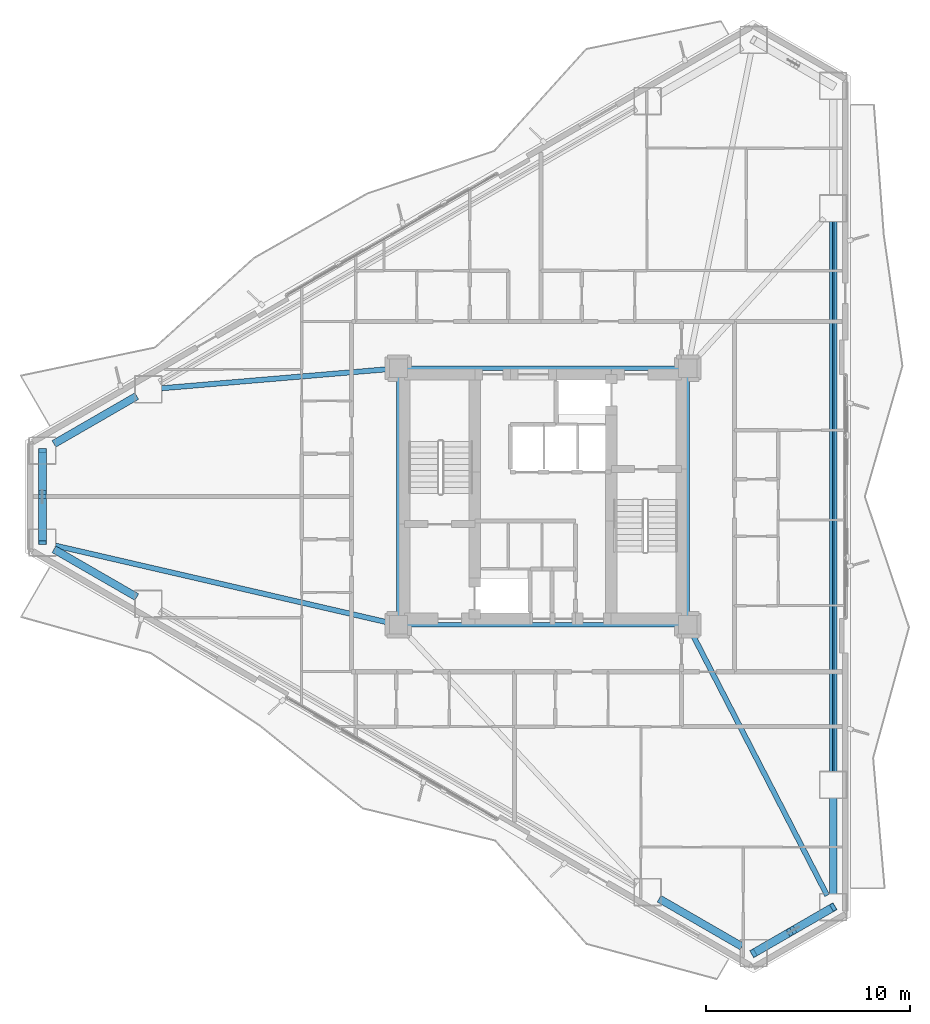
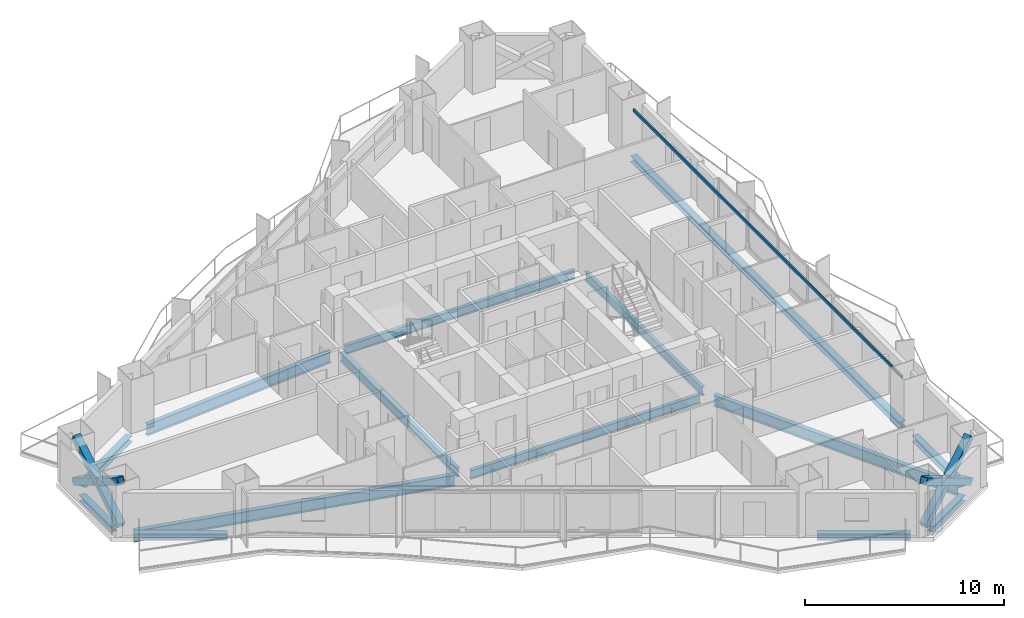
# One storey, part 5 of 18: 15 beams, 6 members.
"""IFC4 building model written with IfcOpenShell, lengths in metres."""

from ifc_helpers import new_model, si_unit, direction, frame, origin, origin_2d, place, context, subcontext, project, spatial, hollow_rectangle, i_section, extrude, material, material_profile, profile_set, type_object, element, save


model = new_model("IFC4")

# Units and contexts
model_context = context("Model", 3, precision=1e-05, world=origin(), true_north=direction((0.0, 1.0)))
body_context = subcontext(model_context, "Body", "Model", "MODEL_VIEW")
ifc_project = project(units=[si_unit("LENGTHUNIT", "METRE"), si_unit("AREAUNIT", "SQUARE_METRE"), si_unit("VOLUMEUNIT", "CUBIC_METRE"), si_unit("PLANEANGLEUNIT", "RADIAN"), si_unit("MASSUNIT", "GRAM", prefix="KILO")], contexts=[model_context])

# Site, building, storey
site_placement = place(None, origin())
site = spatial("IfcSite", under=ifc_project, at=site_placement, CompositionType="ELEMENT")
building_placement = place(site_placement, origin())
building = spatial("IfcBuilding", under=site, at=building_placement, Name="Mersakhor Tower and Convention Hall", CompositionType="ELEMENT")
storey_placement = place(building_placement, frame((0.0, 0.0, 39.0)))
storey = spatial("IfcBuildingStorey", under=building, at=storey_placement, Name="L10", CompositionType="ELEMENT", Elevation=39.0)

# Beams
ifc_material_1 = material(Name="Steel S355", Category="steel")
ifc_material_profile_1 = material_profile(ifc_material_1, i_section(OverallWidth=0.2099609375, OverallDepth=0.53662109375, WebThickness=0.0107421875, FlangeThickness=0.017333984375, at=origin_2d()), Name="UB 533x210x101")
ifc_profile_set_1 = profile_set([ifc_material_profile_1], Name="Steel S355")
beam_type_1 = type_object("IfcBeamType", Name="BM-FB-533", PredefinedType="BEAM", material=ifc_profile_set_1)
beam_1_placement = place(storey_placement, frame((21.89990234375, 20.8798828125, -0.5283203125), z_axis=(0.0, 1.0, 0.0), x_axis=(-1.0, 0.0, 0.0)))
element("IfcBeam", 1, at=beam_1_placement, inside=storey, type_object=beam_type_1, Name="L10 Core Ring Tie Beam CRB-1", PredefinedType="BEAM", context=body_context, shape_type="SweptSolid", body=[
    extrude(i_section(OverallWidth=0.2099609375, OverallDepth=0.53662109375, WebThickness=0.0107421875, FlangeThickness=0.017333984375, at=origin_2d()), origin(), (0.0, 0.0, 1.0), 11.740234375),
])
beam_2_placement = place(storey_placement, frame((22.330078125, 33.050048828125, -0.5283203125), z_axis=(1.0, 0.0, 0.0), x_axis=(0.0, 1.0, 0.0)))
element("IfcBeam", 2, at=beam_2_placement, inside=storey, type_object=beam_type_1, Name="L10 Core Ring Tie Beam CRB-2", PredefinedType="BEAM", context=body_context, shape_type="SweptSolid", body=[
    extrude(i_section(OverallWidth=0.2099609375, OverallDepth=0.53662109375, WebThickness=0.0107421875, FlangeThickness=0.017333984375, at=origin_2d()), origin(), (0.0, 0.0, 1.0), 13.33984375),
])
beam_3_placement = place(storey_placement, frame((36.10009765625, 32.6201171875, -0.5283203125), z_axis=(0.0, -1.0, 0.0), x_axis=(1.0, 0.0, 0.0)))
element("IfcBeam", 3, at=beam_3_placement, inside=storey, type_object=beam_type_1, Name="L10 Core Ring Tie Beam CRB-3", PredefinedType="BEAM", context=body_context, shape_type="SweptSolid", body=[
    extrude(i_section(OverallWidth=0.2099609375, OverallDepth=0.53662109375, WebThickness=0.0107421875, FlangeThickness=0.017333984375, at=origin_2d()), origin(), (0.0, 0.0, 1.0), 11.740234375),
])
beam_4_placement = place(storey_placement, frame((35.669921875, 20.449951171875, -0.5283203125), z_axis=(-1.0, 0.0, 0.0), x_axis=(0.0, -1.0, 0.0)))
element("IfcBeam", 4, at=beam_4_placement, inside=storey, type_object=beam_type_1, Name="L10 Core Ring Tie Beam CRB-4", PredefinedType="BEAM", context=body_context, shape_type="SweptSolid", body=[
    extrude(i_section(OverallWidth=0.2099609375, OverallDepth=0.53662109375, WebThickness=0.0107421875, FlangeThickness=0.017333984375, at=origin_2d()), origin(), (0.0, 0.0, 1.0), 13.33984375),
])
ifc_material_2 = material(Name="Steel S355", Category="steel")
ifc_material_profile_2 = material_profile(ifc_material_2, hollow_rectangle(XDim=0.080078125, YDim=0.179931640625, WallThickness=0.008056640625, at=origin_2d()), Name="RHS 180x80x8")
ifc_profile_set_2 = profile_set([ifc_material_profile_2], Name="Steel S355")
beam_type_2 = type_object("IfcBeamType", Name="BM-GRT-RHS180", PredefinedType="USERDEFINED", material=ifc_profile_set_2)
beam_5_placement = place(storey_placement, frame((43.25, 40.24951171875, 2.47998046875), z_axis=(0.0, -1.0, 0.0), x_axis=(1.0, 0.0, 0.0)))
element("IfcBeam", 5, at=beam_5_placement, inside=storey, type_object=beam_type_2, Name="L10 Facade Support Girt GRT-F2", ObjectType="GIRT", PredefinedType="USERDEFINED", context=body_context, shape_type="SweptSolid", body=[
    extrude(hollow_rectangle(XDim=0.080078125, YDim=0.179931640625, WallThickness=0.008056640625, at=origin_2d()), origin(), (0.0, 0.0, 1.0), 26.9990234375),
])
ifc_material_3 = material(Name="Steel S355", Category="steel")
ifc_material_profile_3 = material_profile(ifc_material_3, i_section(OverallWidth=0.25439453125, OverallDepth=0.6875, WebThickness=0.01318359375, FlangeThickness=0.02099609375, at=origin_2d()), Name="UB 686x254x152")
ifc_profile_set_3 = profile_set([ifc_material_profile_3], Name="Steel S355")
beam_type_3 = type_object("IfcBeamType", Name="BM-PR-686", PredefinedType="BEAM", material=ifc_profile_set_3)
beam_6_placement = place(storey_placement, frame((21.471435546875, 33.013916015625, -0.603759765625), z_axis=(-0.996458345442, -0.084087845732, 0.0), x_axis=(0.084087845732, -0.996458345442, 0.0)))
element("IfcBeam", 6, at=beam_6_placement, inside=storey, type_object=beam_type_3, Name="L10 Primary Floor Girder FG-1", PredefinedType="BEAM", context=body_context, shape_type="SweptSolid", body=[
    extrude(i_section(OverallWidth=0.25439453125, OverallDepth=0.6875, WebThickness=0.01318359375, FlangeThickness=0.02099609375, at=origin_2d()), origin(), (0.0, 0.0, 1.0), 11.241943359375),
])
beam_7_placement = place(storey_placement, frame((36.297119140625, 20.06787109375, -0.603759765625), z_axis=(0.458368239331, -0.888762373851, 0.0), x_axis=(0.888762373851, 0.458368239331, 0.0)))
element("IfcBeam", 7, at=beam_7_placement, inside=storey, type_object=beam_type_3, Name="L10 Primary Floor Girder FG-4", PredefinedType="BEAM", context=body_context, shape_type="SweptSolid", body=[
    extrude(i_section(OverallWidth=0.25439453125, OverallDepth=0.6875, WebThickness=0.01318359375, FlangeThickness=0.02099609375, at=origin_2d()), origin(), (0.0, 0.0, 1.0), 14.513671875),
])
beam_8_placement = place(storey_placement, frame((21.48095703125, 20.546875, -0.603759765625), z_axis=(-0.974327224334, 0.225136536175, 0.0), x_axis=(-0.225136536175, -0.974327224334, 0.0)))
element("IfcBeam", 8, at=beam_8_placement, inside=storey, type_object=beam_type_3, Name="L10 Primary Floor Girder FG-6", PredefinedType="BEAM", context=body_context, shape_type="SweptSolid", body=[
    extrude(i_section(OverallWidth=0.25439453125, OverallDepth=0.6875, WebThickness=0.01318359375, FlangeThickness=0.02099609375, at=origin_2d()), origin(), (0.0, 0.0, 1.0), 16.862548828125),
])
ifc_material_4 = material(Name="Steel S355", Category="steel")
ifc_material_profile_4 = material_profile(ifc_material_4, i_section(OverallWidth=0.374755859375, OverallDepth=0.37451171875, WebThickness=0.0166015625, FlangeThickness=0.027099609375, at=origin_2d()), Name="UC 356x368x202")
ifc_profile_set_4 = profile_set([ifc_material_profile_4], Name="Steel S355")
beam_type_4 = type_object("IfcBeamType", Name="BM-SPD-UC356", PredefinedType="SPANDREL", material=ifc_profile_set_4)
beam_9_placement = place(storey_placement, frame((4.980224609375, 29.3369140625, -0.447265625), z_axis=(0.86605407247, 0.499950341091, 0.0), x_axis=(-0.499950341091, 0.86605407247, 0.0)))
element("IfcBeam", 9, at=beam_9_placement, inside=storey, type_object=beam_type_4, Name="L10 Perimeter Spandrel Beam SPB-01", PredefinedType="SPANDREL", context=body_context, shape_type="SweptSolid", body=[
    extrude(i_section(OverallWidth=0.374755859375, OverallDepth=0.37451171875, WebThickness=0.0166015625, FlangeThickness=0.027099609375, at=origin_2d()), origin(), (0.0, 0.0, 1.0), 4.69873046875),
])
beam_10_placement = place(storey_placement, frame((43.25, 40.24951171875, -0.447265625), z_axis=(0.0, -1.0, 0.0), x_axis=(1.0, 0.0, 0.0)))
element("IfcBeam", 10, at=beam_10_placement, inside=storey, type_object=beam_type_4, Name="L10 Perimeter Spandrel Beam SPB-06", PredefinedType="SPANDREL", context=body_context, shape_type="SweptSolid", body=[
    extrude(i_section(OverallWidth=0.374755859375, OverallDepth=0.37451171875, WebThickness=0.0166015625, FlangeThickness=0.027099609375, at=origin_2d()), origin(), (0.0, 0.0, 1.0), 26.9990234375),
])
beam_11_placement = place(storey_placement, frame((43.25, 11.9404296875, -0.447265625), z_axis=(0.0, -1.0, 0.0), x_axis=(1.0, 0.0, 0.0)))
element("IfcBeam", 11, at=beam_11_placement, inside=storey, type_object=beam_type_4, Name="L10 Perimeter Spandrel Beam SPB-07", PredefinedType="SPANDREL", context=body_context, shape_type="SweptSolid", body=[
    extrude(i_section(OverallWidth=0.374755859375, OverallDepth=0.37451171875, WebThickness=0.0166015625, FlangeThickness=0.027099609375, at=origin_2d()), origin(), (0.0, 0.0, 1.0), 4.69873046875),
])
beam_12_placement = place(storey_placement, frame((42.682861328125, 6.25927734375, -0.447265625), z_axis=(-0.866038607556, -0.4999771297, 0.0), x_axis=(0.4999771297, -0.866038607556, 0.0)))
element("IfcBeam", 12, at=beam_12_placement, inside=storey, type_object=beam_type_4, Name="L10 Perimeter Spandrel Beam SPB-08", PredefinedType="SPANDREL", context=body_context, shape_type="SweptSolid", body=[
    extrude(i_section(OverallWidth=0.374755859375, OverallDepth=0.37451171875, WebThickness=0.0166015625, FlangeThickness=0.027099609375, at=origin_2d()), origin(), (0.0, 0.0, 1.0), 3.208740234375),
])
for number, where, z_axis, x_axis, name in (
    (13, (38.769775390625, 4.655029296875, -0.447265625), (-0.866031574723, 0.499989311469, 0.0), (-0.499989311469, -0.866031574723, 0.0), "L10 Perimeter Spandrel Beam SPB-09"),
    (14, (9.049560546875, 21.81396484375, -0.447265625), (-0.86605407247, 0.499950341091, 0.0), (-0.499950341091, -0.86605407247, 0.0), "L10 Perimeter Spandrel Beam SPB-11"),
):
    element("IfcBeam", number, at=place(storey_placement, frame(where, z_axis=z_axis, x_axis=x_axis)), inside=storey, type_object=beam_type_4, Name=name, PredefinedType="SPANDREL", context=body_context, shape_type="SweptSolid", body=[
        extrude(i_section(OverallWidth=0.374755859375, OverallDepth=0.37451171875, WebThickness=0.0166015625, FlangeThickness=0.027099609375, at=origin_2d()), origin(), (0.0, 0.0, 1.0), 4.69873046875),
    ])
beam_13_placement = place(storey_placement, frame((4.4130859375, 25.145751953125, -0.447265625), z_axis=(0.0, 1.0, 0.0), x_axis=(-1.0, 0.0, 0.0)))
element("IfcBeam", 15, at=beam_13_placement, inside=storey, type_object=beam_type_4, Name="L10 Perimeter Spandrel Beam SPB-12", PredefinedType="SPANDREL", context=body_context, shape_type="SweptSolid", body=[
    extrude(i_section(OverallWidth=0.374755859375, OverallDepth=0.37451171875, WebThickness=0.0166015625, FlangeThickness=0.027099609375, at=origin_2d()), origin(), (0.0, 0.0, 1.0), 3.20849609375),
])

# Members
ifc_material_5 = material(Name="Steel S460", Category="steel")
ifc_material_profile_5 = material_profile(ifc_material_5, hollow_rectangle(XDim=0.39990234375, YDim=0.39990234375, WallThickness=0.02490234375, at=origin_2d()), Name="SHS 400x400x25")
ifc_profile_set_5 = profile_set([ifc_material_profile_5], Name="Steel S460")
member_type = type_object("IfcMemberType", Name="MB-BRC-SHS400", PredefinedType="BRACE", material=ifc_profile_set_5)
member_1_placement = place(storey_placement, frame((43.25, 6.586669921875, 0.14990234375), z_axis=(-0.740507772322, -0.427542982597, 0.518512523632), x_axis=(0.500009315796, -0.86602002524, 0.0)))
element("IfcMember", 16, at=member_1_placement, inside=storey, type_object=member_type, Name="L10 Chamfer Braced Frame Diagonal CB-2A", PredefinedType="BRACE", context=body_context, shape_type="SweptSolid", body=[
    extrude(hollow_rectangle(XDim=0.39990234375, YDim=0.39990234375, WallThickness=0.02490234375, at=origin_2d()), origin(), (0.0, 0.0, 1.0), 5.284423828125),
])
member_2_placement = place(storey_placement, frame((39.3369140625, 4.327392578125, 0.14990234375), z_axis=(0.740473193976, 0.427601478974, 0.51851366827), x_axis=(-0.500078132948, 0.865980289006, 0.0)))
element("IfcMember", 17, at=member_2_placement, inside=storey, type_object=member_type, Name="L10 Chamfer Braced Frame Diagonal CB-2B Lower Half", PredefinedType="BRACE", context=body_context, shape_type="SweptSolid", body=[
    extrude(hollow_rectangle(XDim=0.39990234375, YDim=0.39990234375, WallThickness=0.02490234375, at=origin_2d()), origin(), (0.0, 0.0, 1.0), 2.408935546875),
])
member_3_placement = place(storey_placement, frame((41.46630859375, 5.556884765625, 1.64111328125), z_axis=(0.740544200614, 0.427541122117, 0.51846202931), x_axis=(-0.499989236795, 0.866031617834, 0.0)))
element("IfcMember", 18, at=member_3_placement, inside=storey, type_object=member_type, Name="L10 Chamfer Braced Frame Diagonal CB-2B Upper Half", PredefinedType="BRACE", context=body_context, shape_type="SweptSolid", body=[
    extrude(hollow_rectangle(XDim=0.39990234375, YDim=0.39990234375, WallThickness=0.02490234375, at=origin_2d()), origin(), (0.0, 0.0, 1.0), 2.40869140625),
])
member_4_placement = place(storey_placement, frame((4.4130859375, 24.49072265625, 0.14990234375), z_axis=(0.0, 0.855074317009, 0.51850546033), x_axis=(-1.0, 0.0, 0.0)))
element("IfcMember", 19, at=member_4_placement, inside=storey, type_object=member_type, Name="L10 Chamfer Braced Frame Diagonal CB-3A", PredefinedType="BRACE", context=body_context, shape_type="SweptSolid", body=[
    extrude(hollow_rectangle(XDim=0.39990234375, YDim=0.39990234375, WallThickness=0.02490234375, at=origin_2d()), origin(), (0.0, 0.0, 1.0), 5.284423828125),
])
for number, where, z_axis, x_axis, name in (
    (20, (4.4130859375, 29.00927734375, 0.14990234375), (0.0, -0.855050764291, 0.518544299444), (1.0, 0.0, 0.0), "L10 Chamfer Braced Frame Diagonal CB-3B Lower Half"),
    (21, (4.4130859375, 26.55029296875, 1.64111328125), (0.0, -0.855095703444, 0.518470190032), (1.0, 0.0, 0.0), "L10 Chamfer Braced Frame Diagonal CB-3B Upper Half"),
):
    element("IfcMember", number, at=place(storey_placement, frame(where, z_axis=z_axis, x_axis=x_axis)), inside=storey, type_object=member_type, Name=name, PredefinedType="BRACE", context=body_context, shape_type="SweptSolid", body=[
        extrude(hollow_rectangle(XDim=0.39990234375, YDim=0.39990234375, WallThickness=0.02490234375, at=origin_2d()), origin(), (0.0, 0.0, 1.0), 2.40869140625),
    ])

save(model, "model.ifc")
